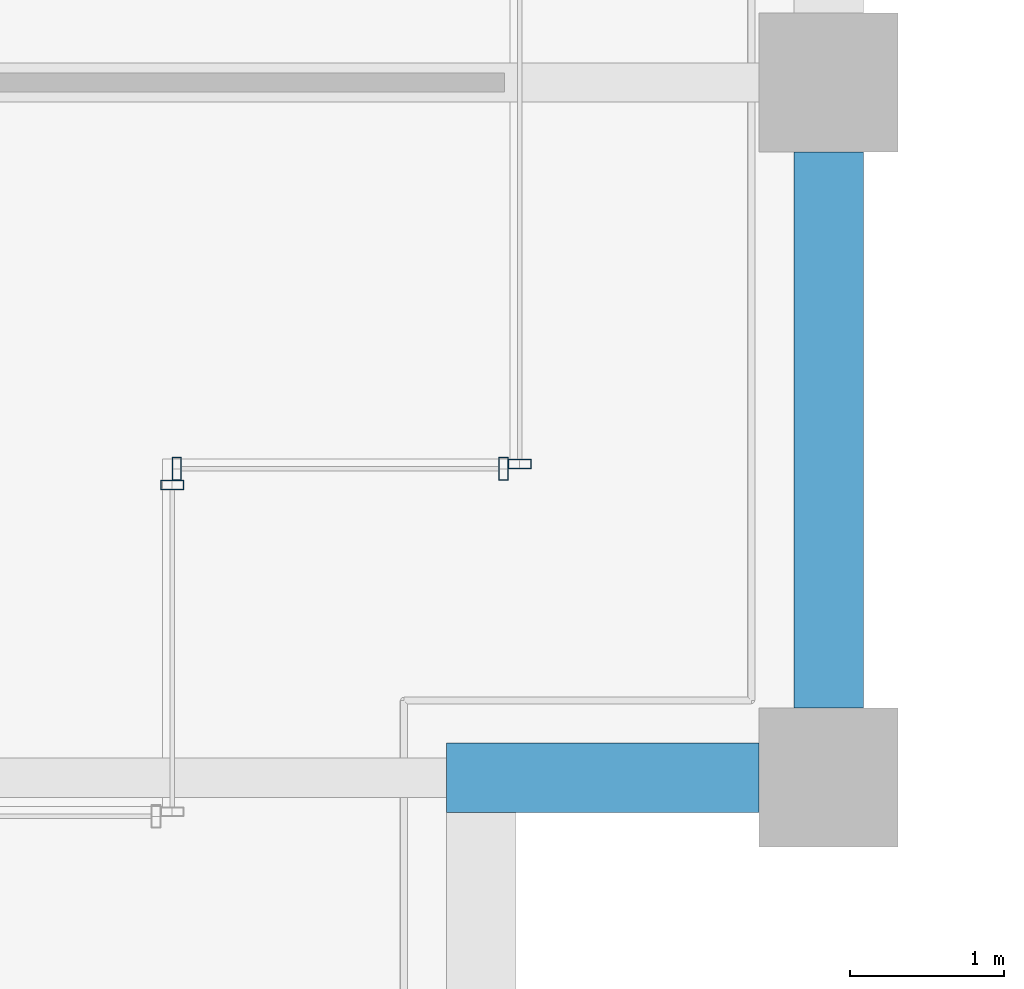
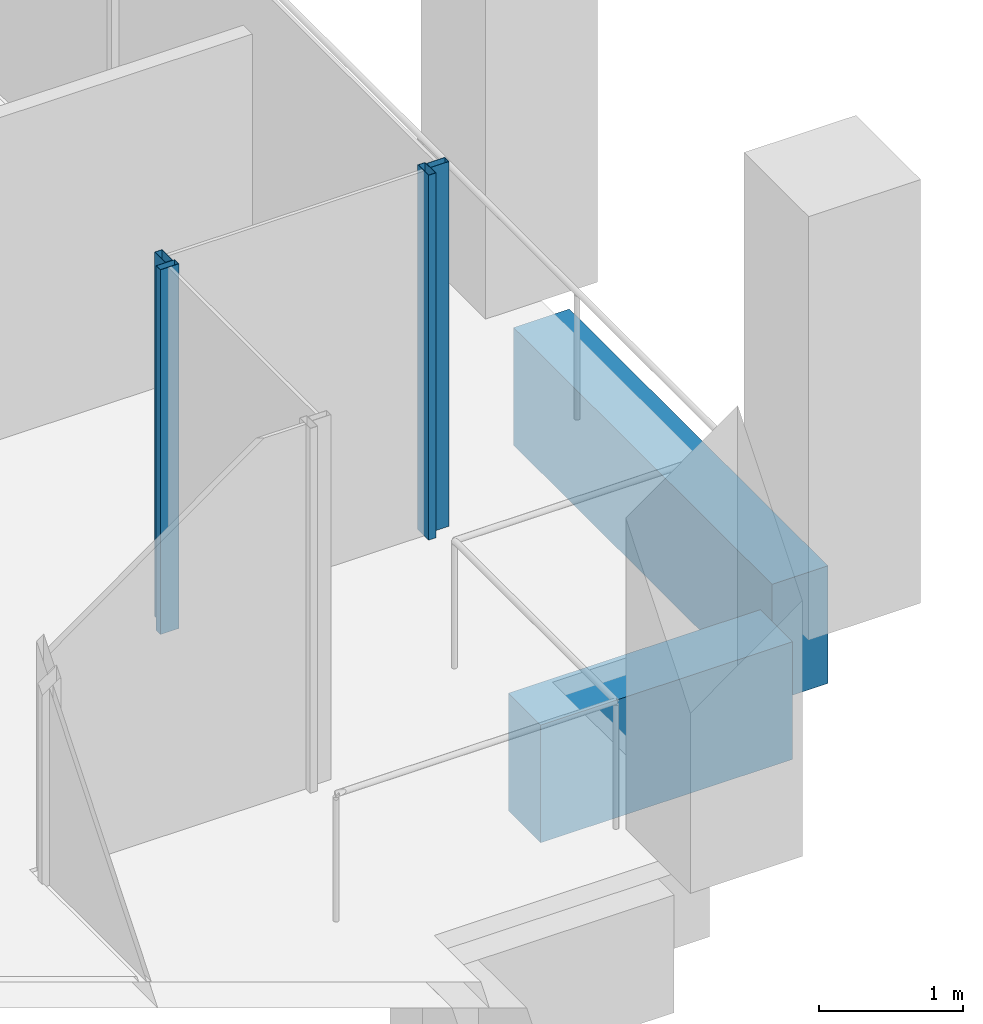
# One storey, part 13 of 40: 4 members, 2 beams, 3 elements without a shape of their own.
"""IFC4 building model written with IfcOpenShell, lengths in metres."""

from ifc_helpers import new_model, si_unit, direction, frame, origin, origin_2d, place, context, subcontext, project, spatial, rectangle, hollow_rectangle, extrude, material, material_profile, profile_set, type_object, element, aggregate, save


model = new_model("IFC4")

# Units and contexts
model_context = context("Model", 3, precision=1e-05, world=origin(), true_north=direction((0.0, 1.0)))
body_context = subcontext(model_context, "Body", "Model", "MODEL_VIEW")
ifc_project = project(units=[si_unit("LENGTHUNIT", "METRE"), si_unit("AREAUNIT", "SQUARE_METRE"), si_unit("VOLUMEUNIT", "CUBIC_METRE"), si_unit("PLANEANGLEUNIT", "RADIAN"), si_unit("MASSUNIT", "GRAM", prefix="KILO")], contexts=[model_context])

# Site, building, storey
site_placement = place(None, origin())
site = spatial("IfcSite", under=ifc_project, at=site_placement, CompositionType="ELEMENT")
building_placement = place(site_placement, origin())
building = spatial("IfcBuilding", under=site, at=building_placement, Name="Altepetl Exchange Towers", CompositionType="ELEMENT")
storey_placement = place(building_placement, frame((0.0, 0.0, 176.199951171875)))
storey = spatial("IfcBuildingStorey", under=building, at=storey_placement, Name="L44", CompositionType="ELEMENT", Elevation=176.199951171875)

# Curtain wall, member
ifc_material_1 = material(Name="Aluminium 6063-T6 glazing", Category="aluminium")
curtain_wall_type = type_object("IfcCurtainWallType", Name="Loggia glazing system", PredefinedType="NOTDEFINED", material=ifc_material_1)
curtain_wall_1_placement = place(storey_placement, origin())
curtain_wall_1 = element("IfcCurtainWall", 1, at=curtain_wall_1_placement, inside=storey, type_object=curtain_wall_type, Name="CW1 run", PredefinedType="NOTDEFINED")
ifc_material_2 = material(Name="Aluminium 6063-T6", Category="aluminium")
ifc_material_profile_1 = material_profile(ifc_material_2, hollow_rectangle(XDim=0.06005859375, YDim=0.14990234375, WallThickness=0.0029296875, at=origin_2d()), Name="Mullion 60x150 aluminium")
ifc_profile_set_1 = profile_set([ifc_material_profile_1], Name="Aluminium 6063-T6")
member_type = type_object("IfcMemberType", Name="Mullion 60x150 aluminium", PredefinedType="MULLION", material=ifc_profile_set_1)
member_1_placement = place(storey_placement, frame((67.75, 33.39501953125, 0.0), z_axis=(0.0, 0.0, 1.0), x_axis=(0.0, 1.0, 0.0)))
member_1 = element("IfcMember", 2, at=member_1_placement, type_object=member_type, Name="MU1 mullion", PredefinedType="MULLION", context=body_context, shape_type="SweptSolid", body=[
    extrude(hollow_rectangle(XDim=0.06005859375, YDim=0.14990234375, WallThickness=0.0029296875, at=origin_2d()), origin(), (0.0, 0.0, 1.0), 3.10009765625),
])
aggregate(curtain_wall_1, [member_1])

# Curtain wall, members
curtain_wall_2_placement = place(storey_placement, origin())
curtain_wall_2 = element("IfcCurtainWall", 3, at=curtain_wall_2_placement, inside=storey, type_object=curtain_wall_type, Name="CW1 run", PredefinedType="NOTDEFINED")
member_2_placement = place(storey_placement, frame((67.780029296875, 33.5, 0.0)))
member_2 = element("IfcMember", 4, at=member_2_placement, type_object=member_type, Name="MU1 mullion", PredefinedType="MULLION", context=body_context, shape_type="SweptSolid", body=[
    extrude(hollow_rectangle(XDim=0.06005859375, YDim=0.14990234375, WallThickness=0.0029296875, at=origin_2d()), origin(), (0.0, 0.0, 1.0), 3.10009765625),
])
member_3_placement = place(storey_placement, frame((69.89501953125, 33.5, 0.0)))
member_3 = element("IfcMember", 5, at=member_3_placement, type_object=member_type, Name="MU1 mullion", PredefinedType="MULLION", context=body_context, shape_type="SweptSolid", body=[
    extrude(hollow_rectangle(XDim=0.06005859375, YDim=0.14990234375, WallThickness=0.0029296875, at=origin_2d()), origin(), (0.0, 0.0, 1.0), 3.10009765625),
])
aggregate(curtain_wall_2, [member_2, member_3])

# Curtain wall, member
curtain_wall_3_placement = place(storey_placement, origin())
curtain_wall_3 = element("IfcCurtainWall", 6, at=curtain_wall_3_placement, inside=storey, type_object=curtain_wall_type, Name="CW1 run", PredefinedType="NOTDEFINED")
member_4_placement = place(storey_placement, frame((70.0, 33.530029296875, 0.0), z_axis=(0.0, 0.0, 1.0), x_axis=(0.0, 1.0, 0.0)))
member_4 = element("IfcMember", 7, at=member_4_placement, type_object=member_type, Name="MU1 mullion", PredefinedType="MULLION", context=body_context, shape_type="SweptSolid", body=[
    extrude(hollow_rectangle(XDim=0.06005859375, YDim=0.14990234375, WallThickness=0.0029296875, at=origin_2d()), origin(), (0.0, 0.0, 1.0), 3.10009765625),
])
aggregate(curtain_wall_3, [member_4])

# Beams
ifc_material_3 = material(Name="Concrete C50/60 precast with cantera amarilla facing", Category="concrete")
ifc_material_profile_2 = material_profile(ifc_material_3, rectangle(XDim=0.449951171875, YDim=1.0, at=origin_2d()), Name="450 x 1000")
ifc_profile_set_2 = profile_set([ifc_material_profile_2], Name="Concrete C50/60 precast with cantera amarilla facing")
beam_type = type_object("IfcBeamType", Name="Spandrel beam 450x1000 cantera amarilla", PredefinedType="SPANDREL", material=ifc_profile_set_2)
beam_1_placement = place(storey_placement, frame((69.52490234375, 31.5, -0.64990234375), z_axis=(1.0, 0.0, 0.0), x_axis=(0.0, 1.0, 0.0)))
element("IfcBeam", 8, at=beam_1_placement, inside=storey, type_object=beam_type, Name="sp:A:L44:011", PredefinedType="SPANDREL", context=body_context, shape_type="SweptSolid", body=[
    extrude(rectangle(XDim=0.449951171875, YDim=1.0, at=origin_2d()), origin(), (0.0, 0.0, 1.0), 2.025146484375),
])
beam_2_placement = place(storey_placement, frame((72.0, 31.949951171875, -0.64990234375), z_axis=(0.0, 1.0, 0.0), x_axis=(-1.0, 0.0, 0.0)))
element("IfcBeam", 9, at=beam_2_placement, inside=storey, type_object=beam_type, Name="sp:A:L44:012", PredefinedType="SPANDREL", context=body_context, shape_type="SweptSolid", body=[
    extrude(rectangle(XDim=0.449951171875, YDim=1.0, at=origin_2d()), origin(), (0.0, 0.0, 1.0), 3.60009765625),
])

save(model, "model.ifc")
